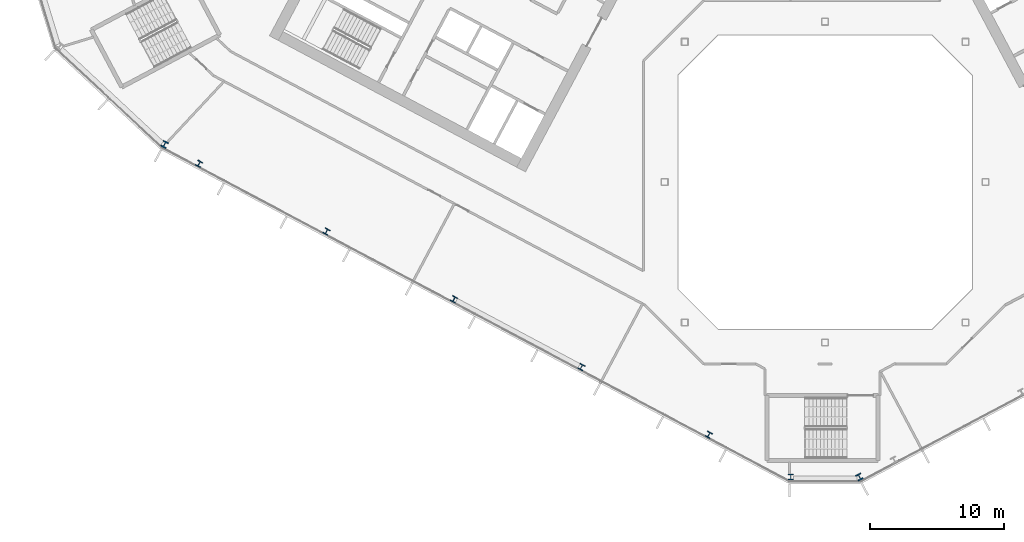
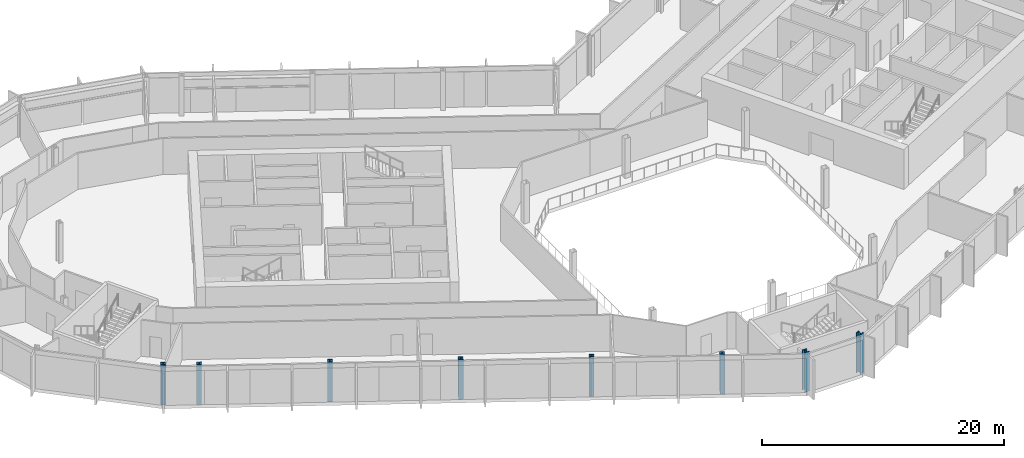
# One storey, part 1 of 28: 8 columns.
"""IFC4 building model written with IfcOpenShell, lengths in metres."""

from ifc_helpers import new_model, si_unit, direction, frame, origin, origin_2d, place, context, subcontext, project, spatial, i_section, extrude, material, material_profile, profile_set, type_object, element, save


model = new_model("IFC4")

# Units and contexts
model_context = context("Model", 3, precision=1e-05, world=origin(), true_north=direction((0.0, 1.0)))
body_context = subcontext(model_context, "Body", "Model", "MODEL_VIEW")
ifc_project = project(units=[si_unit("LENGTHUNIT", "METRE"), si_unit("AREAUNIT", "SQUARE_METRE"), si_unit("VOLUMEUNIT", "CUBIC_METRE"), si_unit("PLANEANGLEUNIT", "RADIAN"), si_unit("MASSUNIT", "GRAM", prefix="KILO")], contexts=[model_context])

# Site, building, storey
site_placement = place(None, origin())
site = spatial("IfcSite", under=ifc_project, at=site_placement, CompositionType="ELEMENT")
building_placement = place(site_placement, origin())
building = spatial("IfcBuilding", under=site, at=building_placement, Name="Cormorant Relay Tower", CompositionType="ELEMENT")
storey_placement = place(building_placement, frame((0.0, 0.0, 154.199951171875)))
storey = spatial("IfcBuildingStorey", under=building, at=storey_placement, Name="L32", CompositionType="ELEMENT", Elevation=154.199951171875)

# Columns
ifc_material_1 = material(Name="Steel ASTM A992 (Fy 345 MPa)", Category="steel")
ifc_material_profile_1 = material_profile(ifc_material_1, i_section(OverallWidth=0.41162109375, OverallDepth=0.434326171875, WebThickness=0.035888671875, FlangeThickness=0.057373046875, FilletRadius=0.01513671875, at=origin_2d()), Name="W360x463")
ifc_profile_set_1 = profile_set([ifc_material_profile_1], Name="Steel ASTM A992 (Fy 345 MPa)")
column_type_1 = type_object("IfcColumnType", Name="Column W360x463", PredefinedType="COLUMN", material=ifc_profile_set_1)
for number, where, z_axis, x_axis, name in (
    (1, (-8.696044921875, -18.910888671875, 0.0), (0.0, 0.0, 1.0), (0.882947592859, -0.469471562786, 0.0), "Column L32-004"),
    (2, (-18.23193359375, -13.841064453125, 0.0), (0.0, 0.0, 1.0), (0.882947592859, -0.469471562786, 0.0), "Column L32-006"),
    (3, (-27.76806640625, -8.77001953125, 0.0), (0.0, 0.0, 1.0), (0.882947592859, -0.469471562786, 0.0), "Column L32-011"),
    (4, (-37.303955078125, -3.699951171875, 0.0), (0.0, 0.0, 1.0), (0.882947592859, -0.469471562786, 0.0), "Column L32-013"),
    (5, (-46.839111328125, 1.3701171875, 0.0), (0.0, 0.0, 1.0), (0.882947592859, -0.469471562786, 0.0), "Column L32-018"),
):
    element("IfcColumn", number, at=place(storey_placement, frame(where, z_axis=z_axis, x_axis=x_axis)), inside=storey, type_object=column_type_1, Name=name, PredefinedType="COLUMN", context=body_context, shape_type="SweptSolid", body=[
        extrude(i_section(OverallWidth=0.41162109375, OverallDepth=0.434326171875, WebThickness=0.035888671875, FlangeThickness=0.057373046875, FilletRadius=0.01513671875, at=origin_2d()), origin(), (0.0, 0.0, 1.0), 4.0),
    ])
ifc_material_2 = material(Name="Steel ASTM A992 (Fy 345 MPa)", Category="steel")
ifc_material_profile_2 = material_profile(ifc_material_2, i_section(OverallWidth=0.42431640625, OverallDepth=0.47509765625, WebThickness=0.0478515625, FlangeThickness=0.0771484375, FilletRadius=0.014892578125, at=origin_2d()), Name="W360x634")
ifc_profile_set_2 = profile_set([ifc_material_profile_2], Name="Steel ASTM A992 (Fy 345 MPa)")
column_type_2 = type_object("IfcColumnType", Name="Column W360x634", PredefinedType="COLUMN", material=ifc_profile_set_2)
for number, where, z_axis, x_axis, name in (
    (6, (-2.571044921875, -22.06494140625, 0.0), (0.0, 0.0, 1.0), (1.0, 0.0, 0.0), "Column L32-001"),
    (7, (2.571044921875, -22.06494140625, 0.0), (0.0, 0.0, 1.0), (0.882947592859, 0.469471562786, 0.0), "Column L32-002"),
    (8, (-49.423095703125, 2.820068359375, 0.0), (0.0, 0.0, 1.0), (0.882947592859, -0.469471562786, 0.0), "Column L32-019"),
):
    element("IfcColumn", number, at=place(storey_placement, frame(where, z_axis=z_axis, x_axis=x_axis)), inside=storey, type_object=column_type_2, Name=name, PredefinedType="COLUMN", context=body_context, shape_type="SweptSolid", body=[
        extrude(i_section(OverallWidth=0.42431640625, OverallDepth=0.47509765625, WebThickness=0.0478515625, FlangeThickness=0.0771484375, FilletRadius=0.014892578125, at=origin_2d()), origin(), (0.0, 0.0, 1.0), 4.0),
    ])

save(model, "model.ifc")
